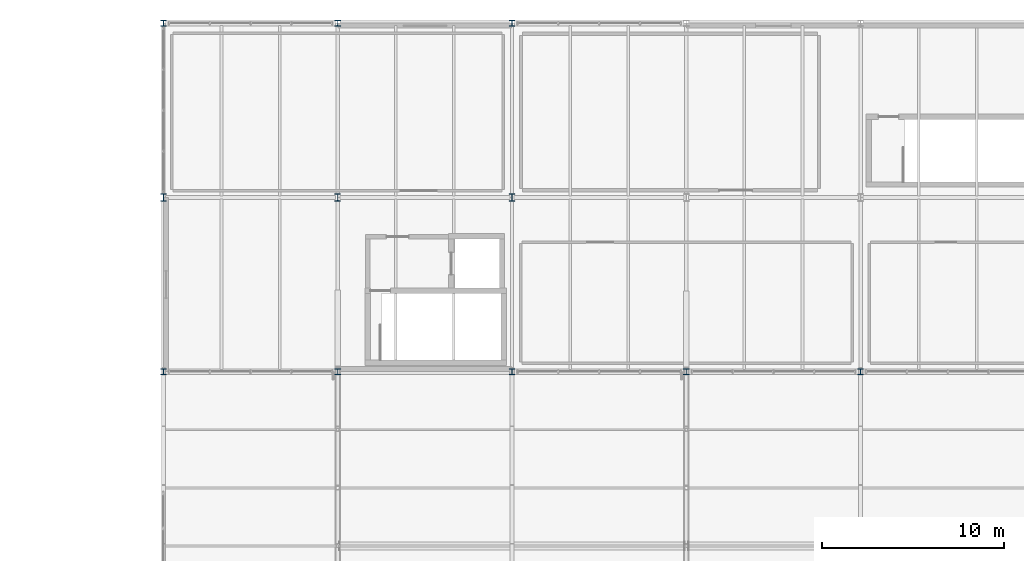
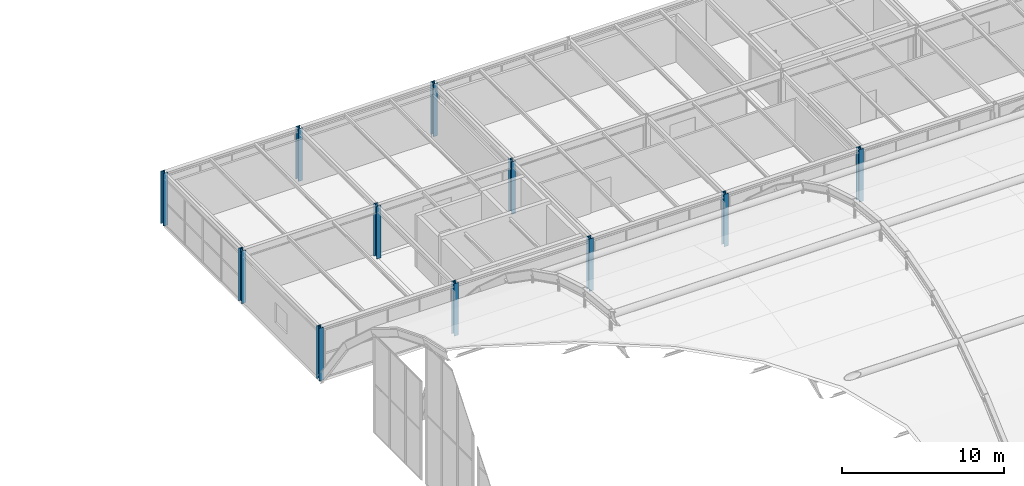
# One storey, part 5 of 126: 11 columns.
"""IFC4 building model written with IfcOpenShell, lengths in metres."""

from ifc_helpers import new_model, si_unit, direction, frame, origin, origin_2d, place, context, subcontext, project, spatial, i_section, extrude, material, material_profile, profile_set, type_object, element, save


model = new_model("IFC4")

# Units and contexts
model_context = context("Model", 3, precision=1e-05, world=origin(), true_north=direction((0.0, 1.0)))
body_context = subcontext(model_context, "Body", "Model", "MODEL_VIEW")
ifc_project = project(units=[si_unit("LENGTHUNIT", "METRE"), si_unit("AREAUNIT", "SQUARE_METRE"), si_unit("VOLUMEUNIT", "CUBIC_METRE"), si_unit("PLANEANGLEUNIT", "RADIAN"), si_unit("MASSUNIT", "GRAM", prefix="KILO")], contexts=[model_context])

# Site, building, storey
site_placement = place(None, origin())
site = spatial("IfcSite", under=ifc_project, at=site_placement, CompositionType="ELEMENT")
building_placement = place(site_placement, origin())
building = spatial("IfcBuilding", under=site, at=building_placement, Name="Coralgate Yard Interchange", CompositionType="ELEMENT")
storey_placement = place(building_placement, frame((0.0, 0.0, 10.5)))
storey = spatial("IfcBuildingStorey", under=building, at=storey_placement, Name="L02", CompositionType="ELEMENT", Elevation=10.5)

# Columns
ifc_material = material(Name="Structural steel S355J2", Category="steel")
ifc_material_profile_1 = material_profile(ifc_material, i_section(OverallWidth=0.300048828125, OverallDepth=0.39990234375, WebThickness=0.013427734375, FlangeThickness=0.02392578125, FilletRadius=0.027099609375, at=origin_2d()), Name="HEB 400")
ifc_profile_set_1 = profile_set([ifc_material_profile_1], Name="Structural steel S355J2")
column_type_1 = type_object("IfcColumnType", Name="COL-SC-11", PredefinedType="COLUMN", material=ifc_profile_set_1)
for number, where, z_axis, x_axis, name in (
    (1, (38.39990234375, 86.39990234375, 0.0), (0.0, 0.0, 1.0), (1.0, 0.0, 0.0), "L02 structural column 4-9"),
    (2, (48.0, 86.39990234375, 0.0), (0.0, 0.0, 1.0), (1.0, 0.0, 0.0), "L02 structural column 5-9"),
    (3, (57.60009765625, 86.39990234375, 0.0), (0.0, 0.0, 1.0), (1.0, 0.0, 0.0), "L02 structural column 6-9"),
):
    element("IfcColumn", number, at=place(storey_placement, frame(where, z_axis=z_axis, x_axis=x_axis)), inside=storey, type_object=column_type_1, Name=name, PredefinedType="COLUMN", context=body_context, shape_type="SweptSolid", body=[
        extrude(i_section(OverallWidth=0.300048828125, OverallDepth=0.39990234375, WebThickness=0.013427734375, FlangeThickness=0.02392578125, FilletRadius=0.027099609375, at=origin_2d()), origin(), (0.0, 0.0, 1.0), 3.949951171875),
    ])
ifc_material_profile_2 = material_profile(ifc_material, i_section(OverallWidth=0.314453125, OverallDepth=0.33984375, WebThickness=0.01904296875, FlangeThickness=0.031494140625, FilletRadius=0.01513671875, at=origin_2d()), Name="UC 305x305x198")
ifc_profile_set_2 = profile_set([ifc_material_profile_2], Name="Structural steel S355J2")
column_type_2 = type_object("IfcColumnType", Name="COL-SC-4", PredefinedType="COLUMN", material=ifc_profile_set_2)
for number, where, z_axis, x_axis, name in (
    (4, (38.39990234375, 76.800048828125, 0.0), (0.0, 0.0, 1.0), (1.0, 0.0, 0.0), "L02 structural column 4-8"),
    (5, (38.39990234375, 96.0, 0.0), (0.0, 0.0, 1.0), (1.0, 0.0, 0.0), "L02 structural column 4-10"),
    (6, (48.0, 76.800048828125, 0.0), (0.0, 0.0, 1.0), (1.0, 0.0, 0.0), "L02 structural column 5-8"),
    (7, (48.0, 96.0, 0.0), (0.0, 0.0, 1.0), (1.0, 0.0, 0.0), "L02 structural column 5-10"),
    (8, (57.60009765625, 76.800048828125, 0.0), (0.0, 0.0, 1.0), (1.0, 0.0, 0.0), "L02 structural column 6-8"),
    (9, (57.60009765625, 96.0, 0.0), (0.0, 0.0, 1.0), (1.0, 0.0, 0.0), "L02 structural column 6-10"),
    (10, (67.199951171875, 76.800048828125, 0.0), (0.0, 0.0, 1.0), (1.0, 0.0, 0.0), "L02 structural column 7-8"),
    (11, (76.800048828125, 76.800048828125, 0.0), (0.0, 0.0, 1.0), (1.0, 0.0, 0.0), "L02 structural column 8-8"),
):
    element("IfcColumn", number, at=place(storey_placement, frame(where, z_axis=z_axis, x_axis=x_axis)), inside=storey, type_object=column_type_2, Name=name, PredefinedType="COLUMN", context=body_context, shape_type="SweptSolid", body=[
        extrude(i_section(OverallWidth=0.314453125, OverallDepth=0.33984375, WebThickness=0.01904296875, FlangeThickness=0.031494140625, FilletRadius=0.01513671875, at=origin_2d()), origin(), (0.0, 0.0, 1.0), 3.949951171875),
    ])

save(model, "model.ifc")
